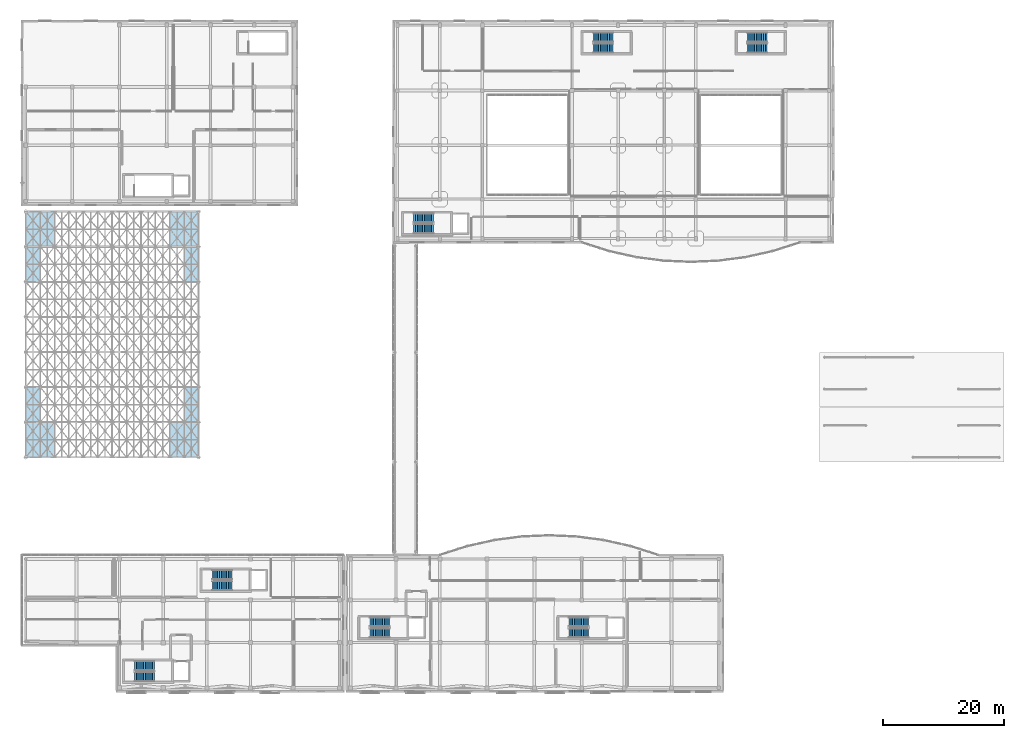
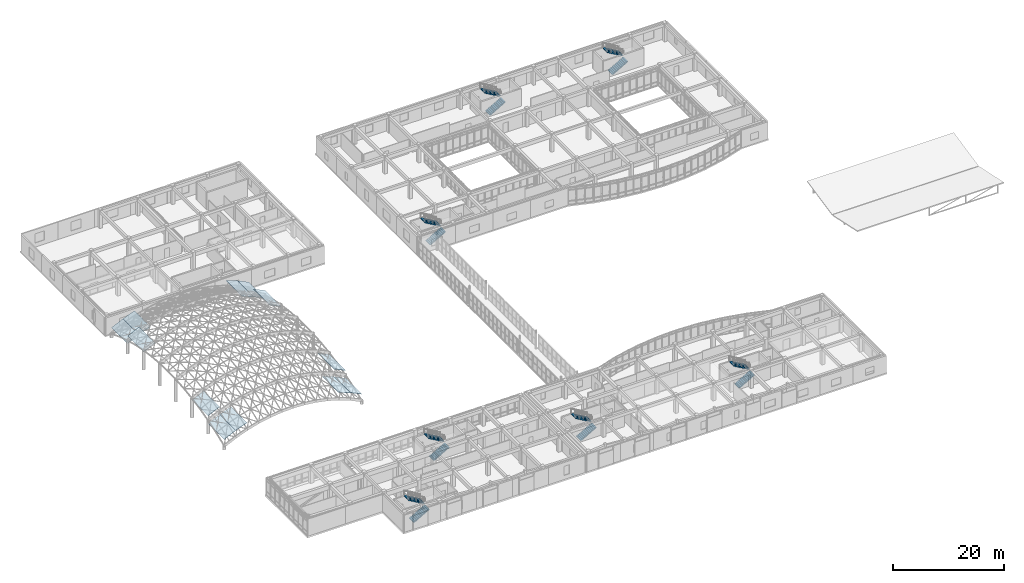
# One storey, part 139 of 146: 14 stair flights, 12 roofs, 7 elements without a shape of their own.
"""IFC4 building model written with IfcOpenShell, lengths in metres."""

import ifcopenshell
import ifcopenshell.guid

model = None  # the IFC model being written
_history = None  # IfcOwnerHistory: only IFC2X3 demands one
_inside = {}  # id of a spatial element -> (the spatial element, [elements in it])
_under = {}  # id of a project, library or spatial element -> (it, [spatial elements below it])
_declared = {}  # id of a project -> (the project, [libraries it declares])
_typed = {}  # id of a type object -> (the type object, [elements of that type])
_made_of = {}  # id of a material, layer set ... -> (it, [elements and type objects made of it])


def new_model(schema):
    """Start an empty IFC model of exactly this schema.

    Asked for "IFC4X3", IfcOpenShell would pick the latest addendum, in which some entities
    have other attributes; the version numbers below select the first issue.
    IFC2X3 requires an IfcOwnerHistory on every rooted entity: one is made here for all.
    """
    global model, _history
    if schema == "IFC4X3":
        model = ifcopenshell.file(schema_version=(4, 3, 0, 0))
    else:
        model = ifcopenshell.file(schema=schema)
    _inside.clear()
    _under.clear()
    _declared.clear()
    _typed.clear()
    _made_of.clear()
    _history = None
    if model.schema == "IFC2X3":
        org = make("IfcOrganization", Name="unknown")
        user = make(
            "IfcPersonAndOrganization",
            ThePerson=make("IfcPerson", FamilyName="unknown"),
            TheOrganization=org,
        )
        app = make(
            "IfcApplication",
            ApplicationDeveloper=org,
            Version="unknown",
            ApplicationFullName="unknown",
            ApplicationIdentifier="unknown",
        )
        _history = make(
            "IfcOwnerHistory",
            OwningUser=user,
            OwningApplication=app,
            ChangeAction="ADDED",
            CreationDate=0,
        )
    return model


def make(cls, **values):
    """One entity of the class cls with the attributes given. An attribute that is None is left unset."""
    return model.create_entity(
        cls, **{name: value for name, value in values.items() if value is not None}
    )


def rooted(cls, **values):
    """An entity with a GlobalId (a new one), such as an element, a storey or a relation."""
    return make(cls, GlobalId=ifcopenshell.guid.new(), OwnerHistory=_history, **values)


def si_unit(unit_type, name, prefix=None):
    """IfcSIUnit, for example si_unit("LENGTHUNIT", "METRE", prefix="MILLI")."""
    return make("IfcSIUnit", UnitType=unit_type, Prefix=prefix, Name=name)


def assignment(units):
    """IfcUnitAssignment: the units of a project."""
    return None if units is None else make("IfcUnitAssignment", Units=units)


def point(xyz):
    """IfcCartesianPoint."""
    return None if xyz is None else make("IfcCartesianPoint", Coordinates=xyz)


def direction(xyz):
    """IfcDirection."""
    return None if xyz is None else make("IfcDirection", DirectionRatios=xyz)


def frame(location, z_axis=None, x_axis=None):
    """IfcAxis2Placement3D, a coordinate frame: its origin and axes. An axis left out is left unset."""
    return make(
        "IfcAxis2Placement3D",
        Location=point(location),
        Axis=direction(z_axis),
        RefDirection=direction(x_axis),
    )


def origin():
    """The frame at (0, 0, 0) with its axes left unset."""
    return frame((0.0, 0.0, 0.0))


def place(relative_to, where):
    """IfcLocalPlacement: puts the frame where relative to a parent placement (None: the world)."""
    return make(
        "IfcLocalPlacement", PlacementRelTo=relative_to, RelativePlacement=where
    )


def context(
    kind, dimensions, precision=None, world=None, true_north=None, identifier=None
):
    """IfcGeometricRepresentationContext, for example the 3D "Model" context."""
    return make(
        "IfcGeometricRepresentationContext",
        ContextIdentifier=identifier,
        ContextType=kind,
        CoordinateSpaceDimension=dimensions,
        Precision=precision,
        WorldCoordinateSystem=world,
        TrueNorth=true_north,
    )


def subcontext(parent, identifier, kind, view, scale=None):
    """IfcGeometricRepresentationSubContext, for example "Body" below "Model"."""
    return make(
        "IfcGeometricRepresentationSubContext",
        ContextIdentifier=identifier,
        ContextType=kind,
        ParentContext=parent,
        TargetScale=scale,
        TargetView=view,
    )


def project(units=None, contexts=None):
    """IfcProject with its units and contexts."""
    return rooted(
        "IfcProject",
        Name="project",
        RepresentationContexts=contexts,
        UnitsInContext=assignment(units),
    )


def spatial(cls, under=None, at=None, **own):
    """A site, building, storey or space (cls), placed at a placement, below another one or the project."""
    s = rooted(cls, ObjectPlacement=at, **own)
    if under is not None:
        _under.setdefault(under.id(), (under, []))[1].append(s)
    return s


def polyline(points):
    """IfcPolyline through the points."""
    return make("IfcPolyline", Points=[point(p) for p in points])


def outline(outer, holes=None, kind="AREA"):
    """IfcArbitraryClosedProfileDef: a profile drawn as a closed curve; with holes, ...WithVoids."""
    if holes is None:
        return make("IfcArbitraryClosedProfileDef", ProfileType=kind, OuterCurve=outer)
    return make(
        "IfcArbitraryProfileDefWithVoids",
        ProfileType=kind,
        OuterCurve=outer,
        InnerCurves=holes,
    )


def extrude(swept, where, along, depth):
    """IfcExtrudedAreaSolid: the profile swept, set in the frame where, extruded along a direction by depth."""
    return make(
        "IfcExtrudedAreaSolid",
        SweptArea=swept,
        Position=where,
        ExtrudedDirection=direction(along),
        Depth=depth,
    )


def shape(context_of_items, identifier, shape_type, items):
    """IfcShapeRepresentation: the items that make up one representation, for example the "Body"."""
    return make(
        "IfcShapeRepresentation",
        ContextOfItems=context_of_items,
        RepresentationIdentifier=identifier,
        RepresentationType=shape_type,
        Items=items,
    )


def material(Name=None, Category=None):
    """IfcMaterial."""
    return make("IfcMaterial", Name=Name, Category=Category)


def made_of(thing, what):
    """Note that an element or type object is made of a material, layer set ...; save() writes the relation."""
    if what is not None:
        _made_of.setdefault(what.id(), (what, []))[1].append(thing)
    return thing


def type_object(cls, material=None, **own):
    """A type object (cls), such as IfcWallType, which elements share."""
    return made_of(rooted(cls, **own), material)


def element(
    cls,
    number,
    at=None,
    inside=None,
    cuts=None,
    type_object=None,
    material=None,
    context=None,
    identifier="Body",
    shape_type=None,
    held_by="IfcProductDefinitionShape",
    body=None,
    shapes=None,
    **own,
):
    """One element of the class cls, such as IfcWall. Its Tag is "e" and its number.

    at: its placement. inside: the storey or other place that contains it. cuts: it is an
    opening in that element (IfcRelVoidsElement). A single representation is given by context,
    identifier, shape_type and body (its items); several are given by shapes. held_by: the class
    of the entity that holds the representations. save() writes the other relations.
    """
    e = rooted(cls, Tag="e%d" % number, ObjectPlacement=at, **own)
    if body is not None:
        shapes = [shape(context, identifier, shape_type, body)]
    if shapes is not None:
        e.Representation = make(held_by, Representations=shapes)
    if inside is not None:
        _inside.setdefault(inside.id(), (inside, []))[1].append(e)
    if cuts is not None:
        rooted(
            "IfcRelVoidsElement", RelatingBuildingElement=cuts, RelatedOpeningElement=e
        )
    if type_object is not None:
        _typed.setdefault(type_object.id(), (type_object, []))[1].append(e)
    return made_of(e, material)


def aggregate(whole, parts):
    """IfcRelAggregates: a whole, such as a stair, and the parts it consists of."""
    return rooted("IfcRelAggregates", RelatingObject=whole, RelatedObjects=parts)


def save(model, path):
    """Write the relations noted so far, then the file.

    IfcRelAggregates (storeys below a building ...), IfcRelContainedInSpatialStructure (elements
    in a storey), IfcRelDefinesByType, IfcRelAssociatesMaterial and IfcRelDeclares: one each for
    every whole, place, type object, material and project.
    """
    for whole, parts in _under.values():
        aggregate(whole, parts)
    for where, things in _inside.values():
        rooted(
            "IfcRelContainedInSpatialStructure",
            RelatedElements=things,
            RelatingStructure=where,
        )
    for kind, things in _typed.values():
        rooted("IfcRelDefinesByType", RelatedObjects=things, RelatingType=kind)
    for what, things in _made_of.values():
        rooted("IfcRelAssociatesMaterial", RelatedObjects=things, RelatingMaterial=what)
    for by, libraries in _declared.values():
        rooted("IfcRelDeclares", RelatingContext=by, RelatedDefinitions=libraries)
    model.write(path)


model = new_model("IFC4")

# Units and contexts
model_context = context("Model", 3, precision=1e-05, world=origin(), true_north=direction((0.0, 1.0)))
body_context = subcontext(model_context, "Body", "Model", "MODEL_VIEW")
ifc_project = project(units=[si_unit("LENGTHUNIT", "METRE"), si_unit("AREAUNIT", "SQUARE_METRE"), si_unit("VOLUMEUNIT", "CUBIC_METRE"), si_unit("PLANEANGLEUNIT", "RADIAN"), si_unit("MASSUNIT", "GRAM", prefix="KILO")], contexts=[model_context])

# Site, building, storey
site_placement = place(None, origin())
site = spatial("IfcSite", under=ifc_project, at=site_placement, CompositionType="ELEMENT")
building_placement = place(site_placement, origin())
building = spatial("IfcBuilding", under=site, at=building_placement, Name="Valcora Specialist Clinic", CompositionType="ELEMENT")
storey_placement = place(building_placement, frame((0.0, 0.0, 9.52001953125)))
storey = spatial("IfcBuildingStorey", under=building, at=storey_placement, Name="L02", CompositionType="ELEMENT", Elevation=9.52001953125)

# Stair, stair flights
ifc_material_1 = material(Name="Concrete C40/50", Category="concrete")
stair_type = type_object("IfcStairType", Name="TY-ST-DG408", PredefinedType="HALF_TURN_STAIR", material=ifc_material_1)
stair_1_placement = place(storey_placement, origin())
stair_1 = element("IfcStair", 1, at=stair_1_placement, inside=storey, type_object=stair_type, Name="L02 Core C-V4A stair ST-V4A", PredefinedType="HALF_TURN_STAIR")
stair_flight_type = type_object("IfcStairFlightType", Name="TY-SF-RC160", PredefinedType="STRAIGHT", material=ifc_material_1)
stair_flight_1_placement = place(storey_placement, frame((64.699951171875, 76.39990234375, 0.0), z_axis=(0.0, 0.0, 1.0), x_axis=(1.0, 0.0, 0.0)))
stair_flight_1 = element("IfcStairFlight", 2, at=stair_flight_1_placement, type_object=stair_flight_type, Name="ST-V4A flight 1", NumberOfRisers=12, NumberOfTreads=11, PredefinedType="STRAIGHT", RiserHeight=0.17, TreadLength=0.295, context=body_context, shape_type="SweptSolid", body=[
    extrude(outline(polyline([(0.0, 0.0), (0.0, 0.169921875), (0.294921875, 0.169921875), (0.294921875, 0.340087890625), (0.590087890625, 0.340087890625), (0.590087890625, 0.510009765625), (0.885009765625, 0.510009765625), (0.885009765625, 0.679931640625), (1.179931640625, 0.679931640625), (1.179931640625, 0.85009765625), (1.47509765625, 0.85009765625), (1.47509765625, 1.02001953125), (1.77001953125, 1.02001953125), (1.77001953125, 1.18994140625), (2.06494140625, 1.18994140625), (2.06494140625, 1.360107421875), (2.360107421875, 1.360107421875), (2.360107421875, 1.530029296875), (2.655029296875, 1.530029296875), (2.655029296875, 1.699951171875), (2.949951171875, 1.699951171875), (2.949951171875, 1.8701171875), (3.2451171875, 1.8701171875), (3.2451171875, 2.0400390625), (3.2451171875, 1.685546875), (0.3203125, 0.0), (0.0, 0.0)])), frame((0.0, 0.800048828125, 0.0), z_axis=(0.0, -1.0, 0.0), x_axis=(1.0, 0.0, 0.0)), (0.0, 0.0, 1.0), 1.60009765625),
])
stair_flight_2_placement = place(storey_placement, frame((67.945068359375, 78.199951171875, 2.0400390625), z_axis=(0.0, 0.0, 1.0), x_axis=(-1.0, 0.0, 0.0)))
stair_flight_2 = element("IfcStairFlight", 3, at=stair_flight_2_placement, type_object=stair_flight_type, Name="ST-V4A flight 2", NumberOfRisers=12, NumberOfTreads=11, PredefinedType="STRAIGHT", RiserHeight=0.17, TreadLength=0.295, context=body_context, shape_type="SweptSolid", body=[
    extrude(outline(polyline([(0.0, 0.0), (0.0, 0.169921875), (0.294921875, 0.169921875), (0.294921875, 0.340087890625), (0.590087890625, 0.340087890625), (0.590087890625, 0.510009765625), (0.885009765625, 0.510009765625), (0.885009765625, 0.679931640625), (1.179931640625, 0.679931640625), (1.179931640625, 0.85009765625), (1.47509765625, 0.85009765625), (1.47509765625, 1.02001953125), (1.77001953125, 1.02001953125), (1.77001953125, 1.18994140625), (2.06494140625, 1.18994140625), (2.06494140625, 1.360107421875), (2.360107421875, 1.360107421875), (2.360107421875, 1.530029296875), (2.655029296875, 1.530029296875), (2.655029296875, 1.699951171875), (2.949951171875, 1.699951171875), (2.949951171875, 1.8701171875), (3.2451171875, 1.8701171875), (3.2451171875, 2.0400390625), (3.2451171875, 1.685546875), (0.3203125, 0.0), (0.0, 0.0)])), frame((0.0, 0.800048828125, 0.0), z_axis=(0.0, -1.0, 0.0), x_axis=(1.0, 0.0, 0.0)), (0.0, 0.0, 1.0), 1.60009765625),
])
aggregate(stair_1, [stair_flight_1, stair_flight_2])

stair_2_placement = place(storey_placement, origin())
stair_2 = element("IfcStair", 4, at=stair_2_placement, inside=storey, type_object=stair_type, Name="L02 Core C-V4B stair ST-V4B", PredefinedType="HALF_TURN_STAIR")
stair_flight_3_placement = place(storey_placement, frame((94.300048828125, 106.199951171875, 0.0), z_axis=(0.0, 0.0, 1.0), x_axis=(1.0, 0.0, 0.0)))
stair_flight_3 = element("IfcStairFlight", 5, at=stair_flight_3_placement, type_object=stair_flight_type, Name="ST-V4B flight 1", NumberOfRisers=12, NumberOfTreads=11, PredefinedType="STRAIGHT", RiserHeight=0.17, TreadLength=0.295, context=body_context, shape_type="SweptSolid", body=[
    extrude(outline(polyline([(0.0, 0.0), (0.0, 0.169921875), (0.294921875, 0.169921875), (0.294921875, 0.340087890625), (0.590087890625, 0.340087890625), (0.590087890625, 0.510009765625), (0.885009765625, 0.510009765625), (0.885009765625, 0.679931640625), (1.179931640625, 0.679931640625), (1.179931640625, 0.85009765625), (1.47509765625, 0.85009765625), (1.47509765625, 1.02001953125), (1.77001953125, 1.02001953125), (1.77001953125, 1.18994140625), (2.06494140625, 1.18994140625), (2.06494140625, 1.360107421875), (2.360107421875, 1.360107421875), (2.360107421875, 1.530029296875), (2.655029296875, 1.530029296875), (2.655029296875, 1.699951171875), (2.949951171875, 1.699951171875), (2.949951171875, 1.8701171875), (3.2451171875, 1.8701171875), (3.2451171875, 2.0400390625), (3.2451171875, 1.685546875), (0.3203125, 0.0), (0.0, 0.0)])), frame((0.0, 0.800048828125, 0.0), z_axis=(0.0, -1.0, 0.0), x_axis=(1.0, 0.0, 0.0)), (0.0, 0.0, 1.0), 1.60009765625),
])
stair_flight_4_placement = place(storey_placement, frame((97.544921875, 108.0, 2.0400390625), z_axis=(0.0, 0.0, 1.0), x_axis=(-1.0, 0.0, 0.0)))
stair_flight_4 = element("IfcStairFlight", 6, at=stair_flight_4_placement, type_object=stair_flight_type, Name="ST-V4B flight 2", NumberOfRisers=12, NumberOfTreads=11, PredefinedType="STRAIGHT", RiserHeight=0.17, TreadLength=0.295, context=body_context, shape_type="SweptSolid", body=[
    extrude(outline(polyline([(0.0, 0.0), (0.0, 0.169921875), (0.294921875, 0.169921875), (0.294921875, 0.340087890625), (0.590087890625, 0.340087890625), (0.590087890625, 0.510009765625), (0.885009765625, 0.510009765625), (0.885009765625, 0.679931640625), (1.179931640625, 0.679931640625), (1.179931640625, 0.85009765625), (1.47509765625, 0.85009765625), (1.47509765625, 1.02001953125), (1.77001953125, 1.02001953125), (1.77001953125, 1.18994140625), (2.06494140625, 1.18994140625), (2.06494140625, 1.360107421875), (2.360107421875, 1.360107421875), (2.360107421875, 1.530029296875), (2.655029296875, 1.530029296875), (2.655029296875, 1.699951171875), (2.949951171875, 1.699951171875), (2.949951171875, 1.8701171875), (3.2451171875, 1.8701171875), (3.2451171875, 2.0400390625), (3.2451171875, 1.685546875), (0.3203125, 0.0), (0.0, 0.0)])), frame((0.0, 0.800048828125, 0.0), z_axis=(0.0, -1.0, 0.0), x_axis=(1.0, 0.0, 0.0)), (0.0, 0.0, 1.0), 1.60009765625),
])
aggregate(stair_2, [stair_flight_3, stair_flight_4])

stair_3_placement = place(storey_placement, origin())
stair_3 = element("IfcStair", 7, at=stair_3_placement, inside=storey, type_object=stair_type, Name="L02 Core C-V4C stair ST-V4C", PredefinedType="HALF_TURN_STAIR")
stair_flight_5_placement = place(storey_placement, frame((119.699951171875, 106.199951171875, 0.0), z_axis=(0.0, 0.0, 1.0), x_axis=(1.0, 0.0, 0.0)))
stair_flight_5 = element("IfcStairFlight", 8, at=stair_flight_5_placement, type_object=stair_flight_type, Name="ST-V4C flight 1", NumberOfRisers=12, NumberOfTreads=11, PredefinedType="STRAIGHT", RiserHeight=0.17, TreadLength=0.295, context=body_context, shape_type="SweptSolid", body=[
    extrude(outline(polyline([(0.0, 0.0), (0.0, 0.169921875), (0.294921875, 0.169921875), (0.294921875, 0.340087890625), (0.590087890625, 0.340087890625), (0.590087890625, 0.510009765625), (0.885009765625, 0.510009765625), (0.885009765625, 0.679931640625), (1.179931640625, 0.679931640625), (1.179931640625, 0.85009765625), (1.47509765625, 0.85009765625), (1.47509765625, 1.02001953125), (1.77001953125, 1.02001953125), (1.77001953125, 1.18994140625), (2.06494140625, 1.18994140625), (2.06494140625, 1.360107421875), (2.360107421875, 1.360107421875), (2.360107421875, 1.530029296875), (2.655029296875, 1.530029296875), (2.655029296875, 1.699951171875), (2.949951171875, 1.699951171875), (2.949951171875, 1.8701171875), (3.2451171875, 1.8701171875), (3.2451171875, 2.0400390625), (3.2451171875, 1.685546875), (0.3203125, 0.0), (0.0, 0.0)])), frame((0.0, 0.800048828125, 0.0), z_axis=(0.0, -1.0, 0.0), x_axis=(1.0, 0.0, 0.0)), (0.0, 0.0, 1.0), 1.60009765625),
])
stair_flight_6_placement = place(storey_placement, frame((122.945068359375, 108.0, 2.0400390625), z_axis=(0.0, 0.0, 1.0), x_axis=(-1.0, 0.0, 0.0)))
stair_flight_6 = element("IfcStairFlight", 9, at=stair_flight_6_placement, type_object=stair_flight_type, Name="ST-V4C flight 2", NumberOfRisers=12, NumberOfTreads=11, PredefinedType="STRAIGHT", RiserHeight=0.17, TreadLength=0.295, context=body_context, shape_type="SweptSolid", body=[
    extrude(outline(polyline([(0.0, 0.0), (0.0, 0.169921875), (0.294921875, 0.169921875), (0.294921875, 0.340087890625), (0.590087890625, 0.340087890625), (0.590087890625, 0.510009765625), (0.885009765625, 0.510009765625), (0.885009765625, 0.679931640625), (1.179931640625, 0.679931640625), (1.179931640625, 0.85009765625), (1.47509765625, 0.85009765625), (1.47509765625, 1.02001953125), (1.77001953125, 1.02001953125), (1.77001953125, 1.18994140625), (2.06494140625, 1.18994140625), (2.06494140625, 1.360107421875), (2.360107421875, 1.360107421875), (2.360107421875, 1.530029296875), (2.655029296875, 1.530029296875), (2.655029296875, 1.699951171875), (2.949951171875, 1.699951171875), (2.949951171875, 1.8701171875), (3.2451171875, 1.8701171875), (3.2451171875, 2.0400390625), (3.2451171875, 1.685546875), (0.3203125, 0.0), (0.0, 0.0)])), frame((0.0, 0.800048828125, 0.0), z_axis=(0.0, -1.0, 0.0), x_axis=(1.0, 0.0, 0.0)), (0.0, 0.0, 1.0), 1.60009765625),
])
aggregate(stair_3, [stair_flight_5, stair_flight_6])

stair_4_placement = place(storey_placement, origin())
stair_4 = element("IfcStair", 10, at=stair_4_placement, inside=storey, type_object=stair_type, Name="L02 Core C-V5A stair ST-V5A", PredefinedType="HALF_TURN_STAIR")
stair_flight_7_placement = place(storey_placement, frame((18.699951171875, 2.60009765625, 0.0), z_axis=(0.0, 0.0, 1.0), x_axis=(1.0, 0.0, 0.0)))
stair_flight_7 = element("IfcStairFlight", 11, at=stair_flight_7_placement, type_object=stair_flight_type, Name="ST-V5A flight 1", NumberOfRisers=12, NumberOfTreads=11, PredefinedType="STRAIGHT", RiserHeight=0.17, TreadLength=0.295, context=body_context, shape_type="SweptSolid", body=[
    extrude(outline(polyline([(0.0, 0.0), (0.0, 0.169921875), (0.294921875, 0.169921875), (0.294921875, 0.340087890625), (0.590087890625, 0.340087890625), (0.590087890625, 0.510009765625), (0.885009765625, 0.510009765625), (0.885009765625, 0.679931640625), (1.179931640625, 0.679931640625), (1.179931640625, 0.85009765625), (1.47509765625, 0.85009765625), (1.47509765625, 1.02001953125), (1.77001953125, 1.02001953125), (1.77001953125, 1.18994140625), (2.06494140625, 1.18994140625), (2.06494140625, 1.360107421875), (2.360107421875, 1.360107421875), (2.360107421875, 1.530029296875), (2.655029296875, 1.530029296875), (2.655029296875, 1.699951171875), (2.949951171875, 1.699951171875), (2.949951171875, 1.8701171875), (3.2451171875, 1.8701171875), (3.2451171875, 2.0400390625), (3.2451171875, 1.685546875), (0.3203125, 0.0), (0.0, 0.0)])), frame((0.0, 0.800048828125, 0.0), z_axis=(0.0, -1.0, 0.0), x_axis=(1.0, 0.0, 0.0)), (0.0, 0.0, 1.0), 1.60009765625),
])
stair_flight_8_placement = place(storey_placement, frame((21.945068359375, 4.39990234375, 2.0400390625), z_axis=(0.0, 0.0, 1.0), x_axis=(-1.0, 0.0, 0.0)))
stair_flight_8 = element("IfcStairFlight", 12, at=stair_flight_8_placement, type_object=stair_flight_type, Name="ST-V5A flight 2", NumberOfRisers=12, NumberOfTreads=11, PredefinedType="STRAIGHT", RiserHeight=0.17, TreadLength=0.295, context=body_context, shape_type="SweptSolid", body=[
    extrude(outline(polyline([(0.0, 0.0), (0.0, 0.169921875), (0.294921875, 0.169921875), (0.294921875, 0.340087890625), (0.590087890625, 0.340087890625), (0.590087890625, 0.510009765625), (0.885009765625, 0.510009765625), (0.885009765625, 0.679931640625), (1.179931640625, 0.679931640625), (1.179931640625, 0.85009765625), (1.47509765625, 0.85009765625), (1.47509765625, 1.02001953125), (1.77001953125, 1.02001953125), (1.77001953125, 1.18994140625), (2.06494140625, 1.18994140625), (2.06494140625, 1.360107421875), (2.360107421875, 1.360107421875), (2.360107421875, 1.530029296875), (2.655029296875, 1.530029296875), (2.655029296875, 1.699951171875), (2.949951171875, 1.699951171875), (2.949951171875, 1.8701171875), (3.2451171875, 1.8701171875), (3.2451171875, 2.0400390625), (3.2451171875, 1.685546875), (0.3203125, 0.0), (0.0, 0.0)])), frame((0.0, 0.800048828125, 0.0), z_axis=(0.0, -1.0, 0.0), x_axis=(1.0, 0.0, 0.0)), (0.0, 0.0, 1.0), 1.60009765625),
])
aggregate(stair_4, [stair_flight_7, stair_flight_8])

stair_5_placement = place(storey_placement, origin())
stair_5 = element("IfcStair", 13, at=stair_5_placement, inside=storey, type_object=stair_type, Name="L02 Core C-V5B stair ST-V5B", PredefinedType="HALF_TURN_STAIR")
stair_flight_9_placement = place(storey_placement, frame((31.5, 17.60009765625, 0.0), z_axis=(0.0, 0.0, 1.0), x_axis=(1.0, 0.0, 0.0)))
stair_flight_9 = element("IfcStairFlight", 14, at=stair_flight_9_placement, type_object=stair_flight_type, Name="ST-V5B flight 1", NumberOfRisers=12, NumberOfTreads=11, PredefinedType="STRAIGHT", RiserHeight=0.17, TreadLength=0.295, context=body_context, shape_type="SweptSolid", body=[
    extrude(outline(polyline([(0.0, 0.0), (0.0, 0.169921875), (0.294921875, 0.169921875), (0.294921875, 0.340087890625), (0.590087890625, 0.340087890625), (0.590087890625, 0.510009765625), (0.885009765625, 0.510009765625), (0.885009765625, 0.679931640625), (1.179931640625, 0.679931640625), (1.179931640625, 0.85009765625), (1.47509765625, 0.85009765625), (1.47509765625, 1.02001953125), (1.77001953125, 1.02001953125), (1.77001953125, 1.18994140625), (2.06494140625, 1.18994140625), (2.06494140625, 1.360107421875), (2.360107421875, 1.360107421875), (2.360107421875, 1.530029296875), (2.655029296875, 1.530029296875), (2.655029296875, 1.699951171875), (2.949951171875, 1.699951171875), (2.949951171875, 1.8701171875), (3.2451171875, 1.8701171875), (3.2451171875, 2.0400390625), (3.2451171875, 1.685546875), (0.3203125, 0.0), (0.0, 0.0)])), frame((0.0, 0.800048828125, 0.0), z_axis=(0.0, -1.0, 0.0), x_axis=(1.0, 0.0, 0.0)), (0.0, 0.0, 1.0), 1.60009765625),
])
stair_flight_10_placement = place(storey_placement, frame((34.7451171875, 19.39990234375, 2.0400390625), z_axis=(0.0, 0.0, 1.0), x_axis=(-1.0, 0.0, 0.0)))
stair_flight_10 = element("IfcStairFlight", 15, at=stair_flight_10_placement, type_object=stair_flight_type, Name="ST-V5B flight 2", NumberOfRisers=12, NumberOfTreads=11, PredefinedType="STRAIGHT", RiserHeight=0.17, TreadLength=0.295, context=body_context, shape_type="SweptSolid", body=[
    extrude(outline(polyline([(0.0, 0.0), (0.0, 0.169921875), (0.294921875, 0.169921875), (0.294921875, 0.340087890625), (0.590087890625, 0.340087890625), (0.590087890625, 0.510009765625), (0.885009765625, 0.510009765625), (0.885009765625, 0.679931640625), (1.179931640625, 0.679931640625), (1.179931640625, 0.85009765625), (1.47509765625, 0.85009765625), (1.47509765625, 1.02001953125), (1.77001953125, 1.02001953125), (1.77001953125, 1.18994140625), (2.06494140625, 1.18994140625), (2.06494140625, 1.360107421875), (2.360107421875, 1.360107421875), (2.360107421875, 1.530029296875), (2.655029296875, 1.530029296875), (2.655029296875, 1.699951171875), (2.949951171875, 1.699951171875), (2.949951171875, 1.8701171875), (3.2451171875, 1.8701171875), (3.2451171875, 2.0400390625), (3.2451171875, 1.685546875), (0.3203125, 0.0), (0.0, 0.0)])), frame((0.0, 0.800048828125, 0.0), z_axis=(0.0, -1.0, 0.0), x_axis=(1.0, 0.0, 0.0)), (0.0, 0.0, 1.0), 1.60009765625),
])
aggregate(stair_5, [stair_flight_9, stair_flight_10])

stair_6_placement = place(storey_placement, origin())
stair_6 = element("IfcStair", 16, at=stair_6_placement, inside=storey, type_object=stair_type, Name="L02 Core C-V6A stair ST-V6A", PredefinedType="HALF_TURN_STAIR")
stair_flight_11_placement = place(storey_placement, frame((57.5, 9.800048828125, 0.0), z_axis=(0.0, 0.0, 1.0), x_axis=(1.0, 0.0, 0.0)))
stair_flight_11 = element("IfcStairFlight", 17, at=stair_flight_11_placement, type_object=stair_flight_type, Name="ST-V6A flight 1", NumberOfRisers=12, NumberOfTreads=11, PredefinedType="STRAIGHT", RiserHeight=0.17, TreadLength=0.295, context=body_context, shape_type="SweptSolid", body=[
    extrude(outline(polyline([(0.0, 0.0), (0.0, 0.169921875), (0.294921875, 0.169921875), (0.294921875, 0.340087890625), (0.590087890625, 0.340087890625), (0.590087890625, 0.510009765625), (0.885009765625, 0.510009765625), (0.885009765625, 0.679931640625), (1.179931640625, 0.679931640625), (1.179931640625, 0.85009765625), (1.47509765625, 0.85009765625), (1.47509765625, 1.02001953125), (1.77001953125, 1.02001953125), (1.77001953125, 1.18994140625), (2.06494140625, 1.18994140625), (2.06494140625, 1.360107421875), (2.360107421875, 1.360107421875), (2.360107421875, 1.530029296875), (2.655029296875, 1.530029296875), (2.655029296875, 1.699951171875), (2.949951171875, 1.699951171875), (2.949951171875, 1.8701171875), (3.2451171875, 1.8701171875), (3.2451171875, 2.0400390625), (3.2451171875, 1.685546875), (0.3203125, 0.0), (0.0, 0.0)])), frame((0.0, 0.800048828125, 0.0), z_axis=(0.0, -1.0, 0.0), x_axis=(1.0, 0.0, 0.0)), (0.0, 0.0, 1.0), 1.60009765625),
])
stair_flight_12_placement = place(storey_placement, frame((60.7451171875, 11.60009765625, 2.0400390625), z_axis=(0.0, 0.0, 1.0), x_axis=(-1.0, 0.0, 0.0)))
stair_flight_12 = element("IfcStairFlight", 18, at=stair_flight_12_placement, type_object=stair_flight_type, Name="ST-V6A flight 2", NumberOfRisers=12, NumberOfTreads=11, PredefinedType="STRAIGHT", RiserHeight=0.17, TreadLength=0.295, context=body_context, shape_type="SweptSolid", body=[
    extrude(outline(polyline([(0.0, 0.0), (0.0, 0.169921875), (0.294921875, 0.169921875), (0.294921875, 0.340087890625), (0.590087890625, 0.340087890625), (0.590087890625, 0.510009765625), (0.885009765625, 0.510009765625), (0.885009765625, 0.679931640625), (1.179931640625, 0.679931640625), (1.179931640625, 0.85009765625), (1.47509765625, 0.85009765625), (1.47509765625, 1.02001953125), (1.77001953125, 1.02001953125), (1.77001953125, 1.18994140625), (2.06494140625, 1.18994140625), (2.06494140625, 1.360107421875), (2.360107421875, 1.360107421875), (2.360107421875, 1.530029296875), (2.655029296875, 1.530029296875), (2.655029296875, 1.699951171875), (2.949951171875, 1.699951171875), (2.949951171875, 1.8701171875), (3.2451171875, 1.8701171875), (3.2451171875, 2.0400390625), (3.2451171875, 1.685546875), (0.3203125, 0.0), (0.0, 0.0)])), frame((0.0, 0.800048828125, 0.0), z_axis=(0.0, -1.0, 0.0), x_axis=(1.0, 0.0, 0.0)), (0.0, 0.0, 1.0), 1.60009765625),
])
aggregate(stair_6, [stair_flight_11, stair_flight_12])

stair_7_placement = place(storey_placement, origin())
stair_7 = element("IfcStair", 19, at=stair_7_placement, inside=storey, type_object=stair_type, Name="L02 Core C-V6B stair ST-V6B", PredefinedType="HALF_TURN_STAIR")
stair_flight_13_placement = place(storey_placement, frame((90.300048828125, 9.800048828125, 0.0), z_axis=(0.0, 0.0, 1.0), x_axis=(1.0, 0.0, 0.0)))
stair_flight_13 = element("IfcStairFlight", 20, at=stair_flight_13_placement, type_object=stair_flight_type, Name="ST-V6B flight 1", NumberOfRisers=12, NumberOfTreads=11, PredefinedType="STRAIGHT", RiserHeight=0.17, TreadLength=0.295, context=body_context, shape_type="SweptSolid", body=[
    extrude(outline(polyline([(0.0, 0.0), (0.0, 0.169921875), (0.294921875, 0.169921875), (0.294921875, 0.340087890625), (0.590087890625, 0.340087890625), (0.590087890625, 0.510009765625), (0.885009765625, 0.510009765625), (0.885009765625, 0.679931640625), (1.179931640625, 0.679931640625), (1.179931640625, 0.85009765625), (1.47509765625, 0.85009765625), (1.47509765625, 1.02001953125), (1.77001953125, 1.02001953125), (1.77001953125, 1.18994140625), (2.06494140625, 1.18994140625), (2.06494140625, 1.360107421875), (2.360107421875, 1.360107421875), (2.360107421875, 1.530029296875), (2.655029296875, 1.530029296875), (2.655029296875, 1.699951171875), (2.949951171875, 1.699951171875), (2.949951171875, 1.8701171875), (3.2451171875, 1.8701171875), (3.2451171875, 2.0400390625), (3.2451171875, 1.685546875), (0.3203125, 0.0), (0.0, 0.0)])), frame((0.0, 0.800048828125, 0.0), z_axis=(0.0, -1.0, 0.0), x_axis=(1.0, 0.0, 0.0)), (0.0, 0.0, 1.0), 1.60009765625),
])
stair_flight_14_placement = place(storey_placement, frame((93.544921875, 11.60009765625, 2.0400390625), z_axis=(0.0, 0.0, 1.0), x_axis=(-1.0, 0.0, 0.0)))
stair_flight_14 = element("IfcStairFlight", 21, at=stair_flight_14_placement, type_object=stair_flight_type, Name="ST-V6B flight 2", NumberOfRisers=12, NumberOfTreads=11, PredefinedType="STRAIGHT", RiserHeight=0.17, TreadLength=0.295, context=body_context, shape_type="SweptSolid", body=[
    extrude(outline(polyline([(0.0, 0.0), (0.0, 0.169921875), (0.294921875, 0.169921875), (0.294921875, 0.340087890625), (0.590087890625, 0.340087890625), (0.590087890625, 0.510009765625), (0.885009765625, 0.510009765625), (0.885009765625, 0.679931640625), (1.179931640625, 0.679931640625), (1.179931640625, 0.85009765625), (1.47509765625, 0.85009765625), (1.47509765625, 1.02001953125), (1.77001953125, 1.02001953125), (1.77001953125, 1.18994140625), (2.06494140625, 1.18994140625), (2.06494140625, 1.360107421875), (2.360107421875, 1.360107421875), (2.360107421875, 1.530029296875), (2.655029296875, 1.530029296875), (2.655029296875, 1.699951171875), (2.949951171875, 1.699951171875), (2.949951171875, 1.8701171875), (3.2451171875, 1.8701171875), (3.2451171875, 2.0400390625), (3.2451171875, 1.685546875), (0.3203125, 0.0), (0.0, 0.0)])), frame((0.0, 0.800048828125, 0.0), z_axis=(0.0, -1.0, 0.0), x_axis=(1.0, 0.0, 0.0)), (0.0, 0.0, 1.0), 1.60009765625),
])
aggregate(stair_7, [stair_flight_13, stair_flight_14])

# Roofs
ifc_material_2 = material(Name="Anodized Bronze Aluminium 6063-T6", Category="aluminium")
roof_type = type_object("IfcRoofType", Name="TY-RF-GS", PredefinedType="BARREL_ROOF", material=ifc_material_2)
roof_1_placement = place(storey_placement, frame((0.75, 38.7900390625, 2.119873046875), z_axis=(-0.431265146028, 0.0, 0.902225234529), x_axis=(0.902225234529, 0.0, 0.431265146028)))
element("IfcRoof", 22, at=roof_1_placement, inside=storey, type_object=roof_type, Name="Volume 1 parabolic gridshell vault facet 1", PredefinedType="BARREL_ROOF", context=body_context, shape_type="SweptSolid", body=[
    extrude(outline(polyline([(0.0, 0.0), (2.632380373664848, 0.0), (2.632380373664848, 5.7060546875), (0.0, 5.7060546875), (0.0, 0.0)])), origin(), (0.0, 0.0, -1.0), 0.080078125),
])
for number, where, z_axis, x_axis, name in (
    (23, (3.125, 38.7900390625, 3.255126953125), (-0.352809417059, 0.0, 0.935695204238), (0.935695204238, 0.0, 0.352809417059), "Volume 1 parabolic gridshell vault facet 2"),
    (24, (24.5, 38.7900390625, 4.150634765625), (0.352809417059, 0.0, 0.935695204238), (0.935695204238, 0.0, -0.352809417059), "Volume 1 parabolic gridshell vault facet 11"),
):
    element("IfcRoof", number, at=place(storey_placement, frame(where, z_axis=z_axis, x_axis=x_axis)), inside=storey, type_object=roof_type, Name=name, PredefinedType="BARREL_ROOF", context=body_context, shape_type="SweptSolid", body=[
        extrude(outline(polyline([(0.0, 0.0), (2.538219699365785, 0.0), (2.538219699365785, 5.706054687500001), (0.0, 5.706054687500001), (0.0, 0.0)])), origin(), (0.0, 0.0, -1.0), 0.080078125),
    ])
roof_2_placement = place(storey_placement, frame((26.875, 38.7900390625, 3.255126953125), z_axis=(0.431265146028, 0.0, 0.902225234529), x_axis=(0.902225234529, 0.0, -0.431265146028)))
element("IfcRoof", 25, at=roof_2_placement, inside=storey, type_object=roof_type, Name="Volume 1 parabolic gridshell vault facet 12", PredefinedType="BARREL_ROOF", context=body_context, shape_type="SweptSolid", body=[
    extrude(outline(polyline([(0.0, 0.0), (2.632380373664848, 0.0), (2.632380373664848, 5.7060546875), (0.0, 5.7060546875), (0.0, 0.0)])), origin(), (0.0, 0.0, -1.0), 0.080078125),
])
for number, where, z_axis, x_axis, name in (
    (26, (0.75, 44.575927734375, 3.79833984375), (-0.431265146028, 0.0, 0.902225234529), (0.902225234529, 0.0, 0.431265146028), "Volume 1 parabolic gridshell vault facet 13"),
    (27, (26.875, 44.575927734375, 4.93359375), (0.431265146028, 0.0, 0.902225234529), (0.902225234529, 0.0, -0.431265146028), "Volume 1 parabolic gridshell vault facet 24"),
    (28, (0.75, 67.718994140625, 3.79833984375), (-0.431265146028, 0.0, 0.902225234529), (0.902225234529, 0.0, 0.431265146028), "Volume 1 parabolic gridshell vault facet 61"),
    (29, (26.875, 67.718994140625, 4.93359375), (0.431265146028, 0.0, 0.902225234529), (0.902225234529, 0.0, -0.431265146028), "Volume 1 parabolic gridshell vault facet 72"),
):
    element("IfcRoof", number, at=place(storey_placement, frame(where, z_axis=z_axis, x_axis=x_axis)), inside=storey, type_object=roof_type, Name=name, PredefinedType="BARREL_ROOF", context=body_context, shape_type="SweptSolid", body=[
        extrude(outline(polyline([(0.0, 0.0), (2.632380373664848, 0.0), (2.632380373664848, 5.705078125), (0.0, 5.705078125), (0.0, 0.0)])), origin(), (0.0, 0.0, -1.0), 0.080078125),
    ])
roof_3_placement = place(storey_placement, frame((0.75, 73.50390625, 2.119873046875), z_axis=(-0.431265146028, 0.0, 0.902225234529), x_axis=(0.902225234529, 0.0, 0.431265146028)))
element("IfcRoof", 30, at=roof_3_placement, inside=storey, type_object=roof_type, Name="Volume 1 parabolic gridshell vault facet 73", PredefinedType="BARREL_ROOF", context=body_context, shape_type="SweptSolid", body=[
    extrude(outline(polyline([(0.0, 0.0), (2.632380373664848, 0.0), (2.632380373664848, 5.7060546875), (0.0, 5.7060546875), (0.0, 0.0)])), origin(), (0.0, 0.0, -1.0), 0.080078125),
])
for number, where, z_axis, x_axis, name in (
    (31, (3.125, 73.50390625, 3.255126953125), (-0.352809417059, 0.0, 0.935695204238), (0.935695204238, 0.0, 0.352809417059), "Volume 1 parabolic gridshell vault facet 74"),
    (32, (24.5, 73.50390625, 4.150634765625), (0.352809417059, 0.0, 0.935695204238), (0.935695204238, 0.0, -0.352809417059), "Volume 1 parabolic gridshell vault facet 83"),
):
    element("IfcRoof", number, at=place(storey_placement, frame(where, z_axis=z_axis, x_axis=x_axis)), inside=storey, type_object=roof_type, Name=name, PredefinedType="BARREL_ROOF", context=body_context, shape_type="SweptSolid", body=[
        extrude(outline(polyline([(0.0, 0.0), (2.538219699365785, 0.0), (2.538219699365785, 5.706054687500001), (0.0, 5.706054687500001), (0.0, 0.0)])), origin(), (0.0, 0.0, -1.0), 0.080078125),
    ])
roof_4_placement = place(storey_placement, frame((26.875, 73.50390625, 3.255126953125), z_axis=(0.431265146028, 0.0, 0.902225234529), x_axis=(0.902225234529, 0.0, -0.431265146028)))
element("IfcRoof", 33, at=roof_4_placement, inside=storey, type_object=roof_type, Name="Volume 1 parabolic gridshell vault facet 84", PredefinedType="BARREL_ROOF", context=body_context, shape_type="SweptSolid", body=[
    extrude(outline(polyline([(0.0, 0.0), (2.632380373664848, 0.0), (2.632380373664848, 5.7060546875), (0.0, 5.7060546875), (0.0, 0.0)])), origin(), (0.0, 0.0, -1.0), 0.080078125),
])

save(model, "model.ifc")
